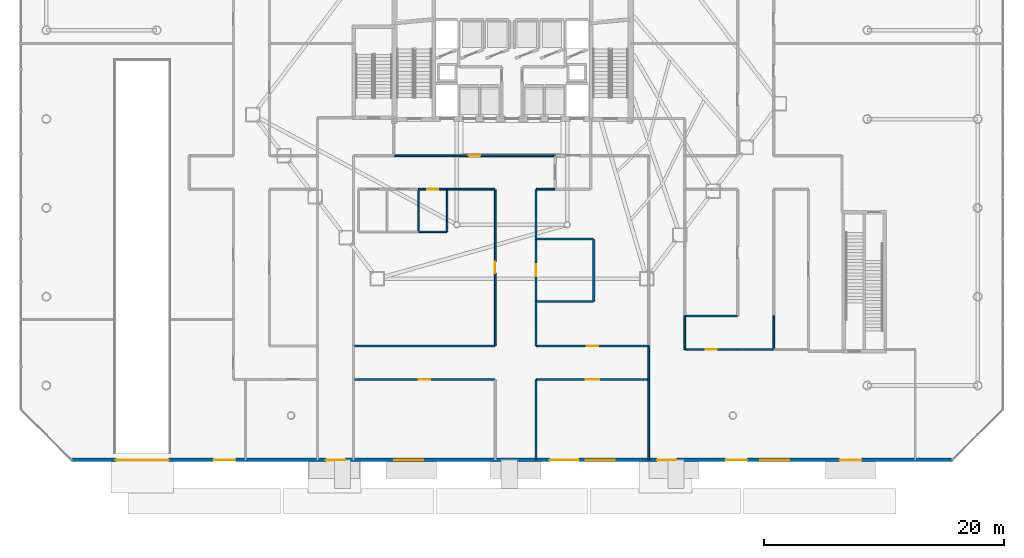
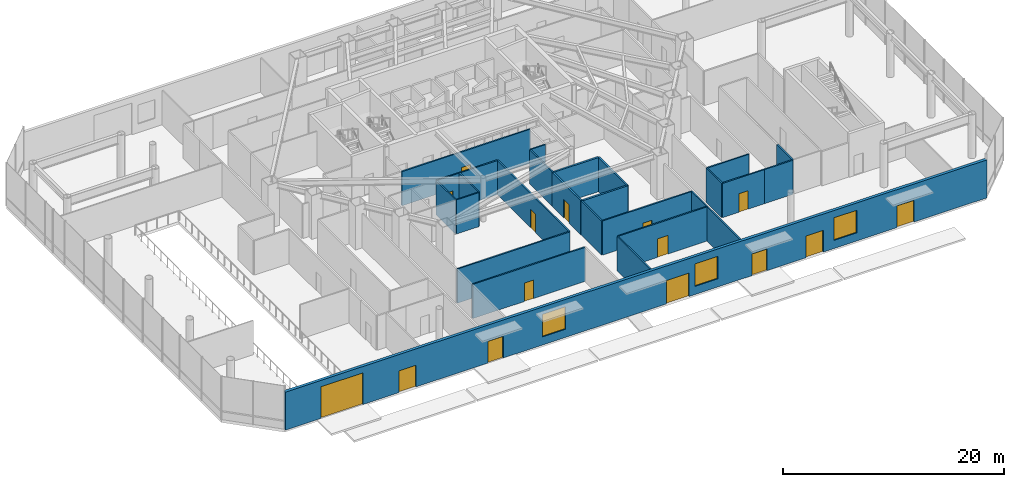
# One storey, part 23 of 31: 27 walls, 15 doors, 3 windows, 18 openings.
"""IFC4 building model written with IfcOpenShell, lengths in metres."""

from ifc_helpers import new_model, si_unit, direction, frame, frame_2d, origin, place, context, subcontext, project, spatial, rectangle, extrude, material, layer, layer_set, type_object, element, fill, save


model = new_model("IFC4")

# Units and contexts
model_context = context("Model", 3, precision=1e-05, world=origin(), true_north=direction((0.0, 1.0)))
body_context = subcontext(model_context, "Body", "Model", "MODEL_VIEW")
ifc_project = project(units=[si_unit("LENGTHUNIT", "METRE"), si_unit("AREAUNIT", "SQUARE_METRE"), si_unit("VOLUMEUNIT", "CUBIC_METRE"), si_unit("PLANEANGLEUNIT", "RADIAN"), si_unit("MASSUNIT", "GRAM", prefix="KILO")], contexts=[model_context])

# Site, building, storey
site_placement = place(None, origin())
site = spatial("IfcSite", under=ifc_project, at=site_placement, CompositionType="ELEMENT")
building_placement = place(site_placement, origin())
building = spatial("IfcBuilding", under=site, at=building_placement, Name="Zarrinselat Tower", CompositionType="ELEMENT")
storey_placement = place(building_placement, origin())
storey = spatial("IfcBuildingStorey", under=building, at=storey_placement, Name="L00", CompositionType="ELEMENT", Elevation=0.0)

# Wall, openings, doors, windows
ifc_material_1 = material(Name="Honed Cream Travertine Stone", Category="masonry")
ifc_layer_1 = layer(ifc_material_1, 0.300048828125)
ifc_layer_set_1 = layer_set([ifc_layer_1], Name="Honed Cream Travertine Stone")
wall_type_1 = type_object("IfcWallType", Name="WAL-EXT-STONE-300", PredefinedType="STANDARD", material=ifc_layer_set_1)
wall_1_placement = place(storey_placement, frame((75.10009765625, 4.800048828125, 0.0), z_axis=(0.0, 0.0, 1.0), x_axis=(-1.0, 0.0, 0.0)))
wall_1 = element("IfcWall", 1, at=wall_1_placement, inside=storey, type_object=wall_type_1, Name="L00 South Pishtaq Travertine Facade Wall", PredefinedType="STANDARD", context=body_context, shape_type="SweptSolid", body=[
    extrude(rectangle(XDim=73.400146484375, YDim=0.300048828125, at=frame_2d((36.7001953125, 0.0))), origin(), (0.0, 0.0, 1.0), 4.205078125),
])
opening_1_placement = place(wall_1_placement, frame((65.300048828125, 0.0, 0.0)))
opening_1 = element("IfcOpeningElement", 2, at=opening_1_placement, cuts=wall_1, Name="Opening VG-01", PredefinedType="OPENING", context=body_context, shape_type="SweptSolid", body=[
    extrude(rectangle(XDim=4.39990234375, YDim=3.5, at=frame_2d((2.199951171875, 1.75))), frame((0.0, 0.159912109375, 0.0), z_axis=(0.0, -1.0, 0.0), x_axis=(1.0, 0.0, 0.0)), (0.0, 0.0, 1.0), 0.320068359375),
])
opening_2_placement = place(wall_1_placement, frame((31.14990234375, 0.0, 0.0)))
opening_2 = element("IfcOpeningElement", 3, at=opening_2_placement, cuts=wall_1, Name="Opening ED-01", PredefinedType="OPENING", context=body_context, shape_type="SweptSolid", body=[
    extrude(rectangle(XDim=2.39990234375, YDim=2.60009765625, at=frame_2d((1.199951171875, 1.300048828125))), frame((0.0, 0.159912109375, 0.0), z_axis=(0.0, -1.0, 0.0), x_axis=(1.0, 0.0, 0.0)), (0.0, 0.0, 1.0), 0.320068359375),
])
opening_3_placement = place(wall_1_placement, frame((50.60009765625, 0.0, 0.0)))
opening_3 = element("IfcOpeningElement", 4, at=opening_3_placement, cuts=wall_1, Name="Opening ED-03", PredefinedType="OPENING", context=body_context, shape_type="SweptSolid", body=[
    extrude(rectangle(XDim=1.60009765625, YDim=2.39990234375, at=frame_2d((0.800048828125, 1.199951171875))), frame((0.0, 0.159912109375, 0.0), z_axis=(0.0, -1.0, 0.0), x_axis=(1.0, 0.0, 0.0)), (0.0, 0.0, 1.0), 0.320068359375),
])
opening_4_placement = place(wall_1_placement, frame((23.0, 0.0, 0.0)))
opening_4 = element("IfcOpeningElement", 5, at=opening_4_placement, cuts=wall_1, Name="Opening ED-03", PredefinedType="OPENING", context=body_context, shape_type="SweptSolid", body=[
    extrude(rectangle(XDim=1.60009765625, YDim=2.39990234375, at=frame_2d((0.800048828125, 1.199951171875))), frame((0.0, 0.159912109375, 0.0), z_axis=(0.0, -1.0, 0.0), x_axis=(1.0, 0.0, 0.0)), (0.0, 0.0, 1.0), 0.320068359375),
])
opening_5_placement = place(wall_1_placement, frame((7.60009765625, 0.0, 0.0)))
opening_5 = element("IfcOpeningElement", 6, at=opening_5_placement, cuts=wall_1, Name="Opening ED-02", PredefinedType="OPENING", context=body_context, shape_type="SweptSolid", body=[
    extrude(rectangle(XDim=1.800048828125, YDim=2.39990234375, at=frame_2d((0.89990234375, 1.199951171875))), frame((0.0, 0.159912109375, 0.0), z_axis=(0.0, -1.0, 0.0), x_axis=(1.0, 0.0, 0.0)), (0.0, 0.0, 1.0), 0.320068359375),
])
opening_6_placement = place(wall_1_placement, frame((17.10009765625, 0.0, 0.0)))
opening_6 = element("IfcOpeningElement", 7, at=opening_6_placement, cuts=wall_1, Name="Opening ED-02", PredefinedType="OPENING", context=body_context, shape_type="SweptSolid", body=[
    extrude(rectangle(XDim=1.800048828125, YDim=2.39990234375, at=frame_2d((0.89990234375, 1.199951171875))), frame((0.0, 0.159912109375, 0.0), z_axis=(0.0, -1.0, 0.0), x_axis=(1.0, 0.0, 0.0)), (0.0, 0.0, 1.0), 0.320068359375),
])
opening_7_placement = place(wall_1_placement, frame((59.75, 0.0, 0.0)))
opening_7 = element("IfcOpeningElement", 8, at=opening_7_placement, cuts=wall_1, Name="Opening ED-02", PredefinedType="OPENING", context=body_context, shape_type="SweptSolid", body=[
    extrude(rectangle(XDim=1.800048828125, YDim=2.39990234375, at=frame_2d((0.89990234375, 1.199951171875))), frame((0.0, 0.159912109375, 0.0), z_axis=(0.0, -1.0, 0.0), x_axis=(1.0, 0.0, 0.0)), (0.0, 0.0, 1.0), 0.320068359375),
])
opening_8_placement = place(wall_1_placement, frame((13.60009765625, 0.0, 0.89990234375)))
opening_8 = element("IfcOpeningElement", 9, at=opening_8_placement, cuts=wall_1, Name="Opening WN-1", PredefinedType="OPENING", context=body_context, shape_type="SweptSolid", body=[
    extrude(rectangle(XDim=2.39990234375, YDim=2.5, at=frame_2d((1.199951171875, 1.25))), frame((0.0, 0.159912109375, 0.0), z_axis=(0.0, -1.0, 0.0), x_axis=(1.0, 0.0, 0.0)), (0.0, 0.0, 1.0), 0.320068359375),
])
opening_9_placement = place(wall_1_placement, frame((28.14990234375, 0.0, 0.89990234375)))
opening_9 = element("IfcOpeningElement", 10, at=opening_9_placement, cuts=wall_1, Name="Opening WN-1", PredefinedType="OPENING", context=body_context, shape_type="SweptSolid", body=[
    extrude(rectangle(XDim=2.39990234375, YDim=2.5, at=frame_2d((1.199951171875, 1.25))), frame((0.0, 0.159912109375, 0.0), z_axis=(0.0, -1.0, 0.0), x_axis=(1.0, 0.0, 0.0)), (0.0, 0.0, 1.0), 0.320068359375),
])
opening_10_placement = place(wall_1_placement, frame((44.10009765625, 0.0, 0.89990234375)))
opening_10 = element("IfcOpeningElement", 11, at=opening_10_placement, cuts=wall_1, Name="Opening WN-1", PredefinedType="OPENING", context=body_context, shape_type="SweptSolid", body=[
    extrude(rectangle(XDim=2.39990234375, YDim=2.5, at=frame_2d((1.199951171875, 1.25))), frame((0.0, 0.159912109375, 0.0), z_axis=(0.0, -1.0, 0.0), x_axis=(1.0, 0.0, 0.0)), (0.0, 0.0, 1.0), 0.320068359375),
])
ifc_material_2 = material(Name="Steel S355J2", Category="steel")
door_type_1 = type_object("IfcDoorType", Name="DR-EXT-EXIT-1800", OperationType="NOTDEFINED", PredefinedType="DOOR", material=ifc_material_2)
door_1_placement = place(opening_3_placement, origin())
door_1 = element("IfcDoor", 12, at=door_1_placement, inside=storey, type_object=door_type_1, Name="West Stair Protected Final Exit Discharge Door", OperationType="DOUBLE_DOOR_SINGLE_SWING", OverallHeight=2.39990234375, OverallWidth=1.60009765625, PredefinedType="DOOR", context=body_context, shape_type="SweptSolid", body=[
    extrude(rectangle(XDim=1.60009765625, YDim=2.39990234375, at=frame_2d((0.800048828125, 1.199951171875))), frame((0.0, 0.02490234375, 0.0), z_axis=(0.0, -1.0, 0.0), x_axis=(1.0, 0.0, 0.0)), (0.0, 0.0, 1.0), 0.050048828125),
])
fill(opening_3, door_1)
door_2_placement = place(opening_4_placement, origin())
door_2 = element("IfcDoor", 13, at=door_2_placement, inside=storey, type_object=door_type_1, Name="East Stair Protected Final Exit Discharge Door", OperationType="DOUBLE_DOOR_SINGLE_SWING", OverallHeight=2.39990234375, OverallWidth=1.60009765625, PredefinedType="DOOR", context=body_context, shape_type="SweptSolid", body=[
    extrude(rectangle(XDim=1.60009765625, YDim=2.39990234375, at=frame_2d((0.800048828125, 1.199951171875))), frame((0.0, 0.02490234375, 0.0), z_axis=(0.0, -1.0, 0.0), x_axis=(1.0, 0.0, 0.0)), (0.0, 0.0, 1.0), 0.050048828125),
])
fill(opening_4, door_2)
ifc_material_3 = material(Name="Double Low-E Laminated Solar Glass", Category="glass")
door_type_2 = type_object("IfcDoorType", Name="DR-EXT-MAIN-2400", OperationType="NOTDEFINED", PredefinedType="DOOR", material=ifc_material_3)
door_3_placement = place(opening_2_placement, origin())
door_3 = element("IfcDoor", 14, at=door_3_placement, inside=storey, type_object=door_type_2, Name="Grand Pishtaq Main Entrance Door", OperationType="DOUBLE_DOOR_SINGLE_SWING", OverallHeight=2.60009765625, OverallWidth=2.39990234375, PredefinedType="DOOR", context=body_context, shape_type="SweptSolid", body=[
    extrude(rectangle(XDim=2.39990234375, YDim=2.60009765625, at=frame_2d((1.199951171875, 1.300048828125))), frame((0.0, 0.02490234375, 0.0), z_axis=(0.0, -1.0, 0.0), x_axis=(1.0, 0.0, 0.0)), (0.0, 0.0, 1.0), 0.050048828125),
])
fill(opening_2, door_3)
ifc_material_4 = material(Name="Double Low-E Laminated Solar Glass", Category="glass")
door_type_3 = type_object("IfcDoorType", Name="DR-EXT-RET-1800", OperationType="NOTDEFINED", PredefinedType="DOOR", material=ifc_material_4)
door_4_placement = place(opening_5_placement, origin())
door_4 = element("IfcDoor", 15, at=door_4_placement, inside=storey, type_object=door_type_3, Name="L00 Retail Street Entrance Door S1", OperationType="SINGLE_SWING_LEFT", OverallHeight=2.39990234375, OverallWidth=1.800048828125, PredefinedType="DOOR", context=body_context, shape_type="SweptSolid", body=[
    extrude(rectangle(XDim=1.800048828125, YDim=2.39990234375, at=frame_2d((0.89990234375, 1.199951171875))), frame((0.0, 0.02490234375, 0.0), z_axis=(0.0, -1.0, 0.0), x_axis=(1.0, 0.0, 0.0)), (0.0, 0.0, 1.0), 0.050048828125),
])
fill(opening_5, door_4)
door_5_placement = place(opening_6_placement, origin())
door_5 = element("IfcDoor", 16, at=door_5_placement, inside=storey, type_object=door_type_3, Name="L00 Retail Street Entrance Door S2", OperationType="SINGLE_SWING_RIGHT", OverallHeight=2.39990234375, OverallWidth=1.800048828125, PredefinedType="DOOR", context=body_context, shape_type="SweptSolid", body=[
    extrude(rectangle(XDim=1.800048828125, YDim=2.39990234375, at=frame_2d((0.89990234375, 1.199951171875))), frame((0.0, 0.02490234375, 0.0), z_axis=(0.0, -1.0, 0.0), x_axis=(1.0, 0.0, 0.0)), (0.0, 0.0, 1.0), 0.050048828125),
])
fill(opening_6, door_5)
door_6_placement = place(opening_7_placement, origin())
door_6 = element("IfcDoor", 17, at=door_6_placement, inside=storey, type_object=door_type_3, Name="L00 Retail Street Entrance Door S3", OperationType="SINGLE_SWING_LEFT", OverallHeight=2.39990234375, OverallWidth=1.800048828125, PredefinedType="DOOR", context=body_context, shape_type="SweptSolid", body=[
    extrude(rectangle(XDim=1.800048828125, YDim=2.39990234375, at=frame_2d((0.89990234375, 1.199951171875))), frame((0.0, 0.02490234375, 0.0), z_axis=(0.0, -1.0, 0.0), x_axis=(1.0, 0.0, 0.0)), (0.0, 0.0, 1.0), 0.050048828125),
])
fill(opening_7, door_6)
ifc_material_5 = material(Name="Extruded Aluminium Alloy EN AW-6063 T6", Category="aluminium")
door_type_4 = type_object("IfcDoorType", Name="DR-GATE-VEH-4400", OperationType="NOTDEFINED", PredefinedType="GATE", material=ifc_material_5)
door_7_placement = place(opening_1_placement, origin())
door_7 = element("IfcDoor", 18, at=door_7_placement, inside=storey, type_object=door_type_4, Name="Car Park Vehicle Entrance Roller Gate VG-01", OperationType="ROLLINGUP", OverallHeight=3.5, OverallWidth=4.39990234375, PredefinedType="GATE", context=body_context, shape_type="SweptSolid", body=[
    extrude(rectangle(XDim=4.39990234375, YDim=3.5, at=frame_2d((2.199951171875, 1.75))), frame((0.0, 0.02490234375, 0.0), z_axis=(0.0, -1.0, 0.0), x_axis=(1.0, 0.0, 0.0)), (0.0, 0.0, 1.0), 0.050048828125),
])
fill(opening_1, door_7)
ifc_material_6 = material(Name="Double Low-E Laminated Solar Glass", Category="glass")
window_type = type_object("IfcWindowType", Name="WIN-PISHTAQ-2400", PartitioningType="SINGLE_PANEL", PredefinedType="WINDOW", material=ifc_material_6)
window_1_placement = place(opening_8_placement, origin())
window_1 = element("IfcWindow", 19, at=window_1_placement, inside=storey, type_object=window_type, Name="L00 Pishtaq Display Window S1", OverallHeight=2.5, OverallWidth=2.39990234375, PartitioningType="SINGLE_PANEL", PredefinedType="WINDOW", context=body_context, shape_type="SweptSolid", body=[
    extrude(rectangle(XDim=2.39990234375, YDim=2.5, at=frame_2d((1.199951171875, 1.25))), frame((0.0, 0.030029296875, 0.0), z_axis=(0.0, -1.0, 0.0), x_axis=(1.0, 0.0, 0.0)), (0.0, 0.0, 1.0), 0.06005859375),
])
fill(opening_8, window_1)
window_2_placement = place(opening_9_placement, origin())
window_2 = element("IfcWindow", 20, at=window_2_placement, inside=storey, type_object=window_type, Name="L00 Pishtaq Display Window S2", OverallHeight=2.5, OverallWidth=2.39990234375, PartitioningType="SINGLE_PANEL", PredefinedType="WINDOW", context=body_context, shape_type="SweptSolid", body=[
    extrude(rectangle(XDim=2.39990234375, YDim=2.5, at=frame_2d((1.199951171875, 1.25))), frame((0.0, 0.030029296875, 0.0), z_axis=(0.0, -1.0, 0.0), x_axis=(1.0, 0.0, 0.0)), (0.0, 0.0, 1.0), 0.06005859375),
])
fill(opening_9, window_2)
window_3_placement = place(opening_10_placement, origin())
window_3 = element("IfcWindow", 21, at=window_3_placement, inside=storey, type_object=window_type, Name="L00 Pishtaq Display Window S3", OverallHeight=2.5, OverallWidth=2.39990234375, PartitioningType="SINGLE_PANEL", PredefinedType="WINDOW", context=body_context, shape_type="SweptSolid", body=[
    extrude(rectangle(XDim=2.39990234375, YDim=2.5, at=frame_2d((1.199951171875, 1.25))), frame((0.0, 0.030029296875, 0.0), z_axis=(0.0, -1.0, 0.0), x_axis=(1.0, 0.0, 0.0)), (0.0, 0.0, 1.0), 0.06005859375),
])
fill(opening_10, window_3)

# Wall, opening, door
ifc_material_7 = material(Name="Concrete C40/50", Category="concrete")
ifc_layer_2 = layer(ifc_material_7, 0.18994140625)
ifc_layer_set_2 = layer_set([ifc_layer_2], Name="Concrete C40/50")
wall_type_2 = type_object("IfcWallType", Name="WAL-PART-EI120", PredefinedType="PARTITIONING", material=ifc_layer_set_2)
wall_2_placement = place(storey_placement, frame((40.39990234375, 18.0048828125, 0.0), z_axis=(0.0, 0.0, 1.0), x_axis=(0.0, 1.0, 0.0)))
wall_2 = element("IfcWall", 22, at=wall_2_placement, inside=storey, type_object=wall_type_2, Name="L00 Partition Wall 87", PredefinedType="PARTITIONING", context=body_context, shape_type="SweptSolid", body=[
    extrude(rectangle(XDim=5.190185546875, YDim=0.18994140625, at=frame_2d((2.59521484375, 0.0))), origin(), (0.0, 0.0, 1.0), 3.777099609375),
])
opening_11_placement = place(wall_2_placement, frame((2.094970703125, 0.0, 0.0)))
opening_11 = element("IfcOpeningElement", 23, at=opening_11_placement, cuts=wall_2, Name="Opening ID-01", PredefinedType="OPENING", context=body_context, shape_type="SweptSolid", body=[
    extrude(rectangle(XDim=1.0, YDim=2.050048828125, at=frame_2d((0.5, 1.02490234375))), frame((0.0, 0.10498046875, 0.0), z_axis=(0.0, -1.0, 0.0), x_axis=(1.0, 0.0, 0.0)), (0.0, 0.0, 1.0), 0.2099609375),
])
ifc_material_8 = material(Name="Steel S355J2", Category="steel")
door_type_5 = type_object("IfcDoorType", Name="DR-INT-FD120", OperationType="NOTDEFINED", PredefinedType="DOOR", material=ifc_material_8)
door_8_placement = place(opening_11_placement, origin())
door_8 = element("IfcDoor", 24, at=door_8_placement, inside=storey, type_object=door_type_5, Name="L00 Interior Door P87", OperationType="SINGLE_SWING_LEFT", OverallHeight=2.050048828125, OverallWidth=1.0, PredefinedType="DOOR", context=body_context, shape_type="SweptSolid", body=[
    extrude(rectangle(XDim=1.0, YDim=2.050048828125, at=frame_2d((0.5, 1.02490234375))), frame((0.0, 0.02490234375, 0.0), z_axis=(0.0, -1.0, 0.0), x_axis=(1.0, 0.0, 0.0)), (0.0, 0.0, 1.0), 0.050048828125),
])
fill(opening_11, door_8)

# Walls
wall_3_placement = place(storey_placement, frame((45.199951171875, 18.02001953125, 0.0), z_axis=(0.0, 0.0, 1.0), x_axis=(0.0, 1.0, 0.0)))
element("IfcWall", 25, at=wall_3_placement, inside=storey, type_object=wall_type_2, Name="L00 Partition Wall 106", PredefinedType="PARTITIONING", context=body_context, shape_type="SweptSolid", body=[
    extrude(rectangle(XDim=5.159912109375, YDim=0.18994140625, at=frame_2d((2.580078125, 0.0))), origin(), (0.0, 0.0, 1.0), 3.777099609375),
])
for number, where, z_axis, x_axis, name in (
    (26, (40.419921875, 18.0, 0.0), (0.0, 0.0, 1.0), (1.0, 0.0, 0.0), "L00 Partition Wall 107"),
    (27, (40.419921875, 23.199951171875, 0.0), (0.0, 0.0, 1.0), (1.0, 0.0, 0.0), "L00 Partition Wall 108"),
):
    element("IfcWall", number, at=place(storey_placement, frame(where, z_axis=z_axis, x_axis=x_axis)), inside=storey, type_object=wall_type_2, Name=name, PredefinedType="PARTITIONING", context=body_context, shape_type="SweptSolid", body=[
        extrude(rectangle(XDim=4.760009765625, YDim=0.18994140625, at=frame_2d((2.3798828125, 0.0))), origin(), (0.0, 0.0, 1.0), 3.777099609375),
    ])

# Wall, opening, door
ifc_material_9 = material(Name="Fire-Rated Gypsum Board Partition", Category="gypsum")
ifc_layer_3 = layer(ifc_material_9, 0.14990234375)
ifc_layer_set_3 = layer_set([ifc_layer_3], Name="Fire-Rated Gypsum Board Partition")
wall_type_3 = type_object("IfcWallType", Name="WAL-PART-EI60", PredefinedType="PARTITIONING", material=ifc_layer_set_3)
wall_4_placement = place(storey_placement, frame((41.9951171875, 30.14990234375, 0.0), z_axis=(0.0, 0.0, 1.0), x_axis=(-1.0, 0.0, 0.0)))
wall_4 = element("IfcWall", 28, at=wall_4_placement, inside=storey, type_object=wall_type_3, Name="L00 Partition Wall 10", PredefinedType="PARTITIONING", context=body_context, shape_type="SweptSolid", body=[
    extrude(rectangle(XDim=13.425048828125, YDim=0.14990234375, at=frame_2d((6.71240234375, 0.0))), origin(), (0.0, 0.0, 1.0), 3.777099609375),
])
opening_12_placement = place(wall_4_placement, frame((6.242431640625, 0.0, 0.0)))
opening_12 = element("IfcOpeningElement", 29, at=opening_12_placement, cuts=wall_4, Name="Opening ID-04", PredefinedType="OPENING", context=body_context, shape_type="SweptSolid", body=[
    extrude(rectangle(XDim=0.93994140625, YDim=2.050048828125, at=frame_2d((0.469970703125, 1.02490234375))), frame((0.0, 0.0849609375, 0.0), z_axis=(0.0, -1.0, 0.0), x_axis=(1.0, 0.0, 0.0)), (0.0, 0.0, 1.0), 0.169921875),
])
ifc_material_10 = material(Name="Fire-Rated Gypsum Board Partition")
door_type_6 = type_object("IfcDoorType", Name="DR-INT-FD30-ENT", OperationType="NOTDEFINED", PredefinedType="DOOR", material=ifc_material_10)
door_9_placement = place(opening_12_placement, origin())
door_9 = element("IfcDoor", 30, at=door_9_placement, inside=storey, type_object=door_type_6, Name="L00 Interior Door P10", OperationType="SINGLE_SWING_RIGHT", OverallHeight=2.050048828125, OverallWidth=0.93994140625, PredefinedType="DOOR", context=body_context, shape_type="SweptSolid", body=[
    extrude(rectangle(XDim=0.93994140625, YDim=2.050048828125, at=frame_2d((0.469970703125, 1.02490234375))), frame((0.0, 0.02490234375, 0.0), z_axis=(0.0, -1.0, 0.0), x_axis=(1.0, 0.0, 0.0)), (0.0, 0.0, 1.0), 0.050048828125),
])
fill(opening_12, door_9)

# Walls
wall_5_placement = place(storey_placement, frame((52.800048828125, 13.985107421875, 0.0), z_axis=(0.0, 0.0, 1.0), x_axis=(0.0, 1.0, 0.0)))
element("IfcWall", 31, at=wall_5_placement, inside=storey, type_object=wall_type_3, Name="L00 Partition Wall 23", PredefinedType="PARTITIONING", context=body_context, shape_type="SweptSolid", body=[
    extrude(rectangle(XDim=2.809814453125, YDim=0.14990234375, at=frame_2d((1.40478515625, 0.0))), origin(), (0.0, 0.0, 1.0), 3.777099609375),
])
wall_6_placement = place(storey_placement, frame((49.800048828125, 11.5048828125, 0.0), z_axis=(0.0, 0.0, 1.0), x_axis=(0.0, 1.0, 0.0)))
element("IfcWall", 32, at=wall_6_placement, inside=storey, type_object=wall_type_3, Name="L00 Partition Wall 24", PredefinedType="PARTITIONING", context=body_context, shape_type="SweptSolid", body=[
    extrude(rectangle(XDim=2.7900390625, YDim=0.14990234375, at=frame_2d((1.39501953125, 0.0))), origin(), (0.0, 0.0, 1.0), 3.777099609375),
])
wall_7_placement = place(storey_placement, frame((49.800048828125, 4.81494140625, 0.0), z_axis=(0.0, 0.0, 1.0), x_axis=(0.0, 1.0, 0.0)))
element("IfcWall", 33, at=wall_7_placement, inside=storey, type_object=wall_type_3, Name="L00 Partition Wall 31", PredefinedType="PARTITIONING", context=body_context, shape_type="SweptSolid", body=[
    extrude(rectangle(XDim=6.68017578125, YDim=0.14990234375, at=frame_2d((3.340087890625, 0.0))), origin(), (0.0, 0.0, 1.0), 3.777099609375),
])
wall_8_placement = place(storey_placement, frame((57.199951171875, 14.0, 0.0), z_axis=(0.0, 0.0, 1.0), x_axis=(1.0, 0.0, 0.0)))
element("IfcWall", 34, at=wall_8_placement, inside=storey, type_object=wall_type_3, Name="L00 Partition Wall 36", PredefinedType="PARTITIONING", context=body_context, shape_type="SweptSolid", body=[
    extrude(rectangle(XDim=2.97998046875, YDim=0.14990234375, at=frame_2d((1.489990234375, 0.0))), origin(), (0.0, 0.0, 1.0), 3.777099609375),
])

# Wall, opening, door
wall_9_placement = place(storey_placement, frame((52.81494140625, 14.0, 0.0), z_axis=(0.0, 0.0, 1.0), x_axis=(1.0, 0.0, 0.0)))
wall_9 = element("IfcWall", 35, at=wall_9_placement, inside=storey, type_object=wall_type_3, Name="L00 Partition Wall 37", PredefinedType="PARTITIONING", context=body_context, shape_type="SweptSolid", body=[
    extrude(rectangle(XDim=4.385009765625, YDim=0.14990234375, at=frame_2d((2.1923828125, 0.0))), origin(), (0.0, 0.0, 1.0), 3.777099609375),
])
opening_13_placement = place(wall_9_placement, frame((1.722412109375, 0.0, 0.0)))
opening_13 = element("IfcOpeningElement", 36, at=opening_13_placement, cuts=wall_9, Name="Opening ID-04", PredefinedType="OPENING", context=body_context, shape_type="SweptSolid", body=[
    extrude(rectangle(XDim=0.93994140625, YDim=2.050048828125, at=frame_2d((0.469970703125, 1.02490234375))), frame((0.0, 0.0849609375, 0.0), z_axis=(0.0, -1.0, 0.0), x_axis=(1.0, 0.0, 0.0)), (0.0, 0.0, 1.0), 0.169921875),
])
door_10_placement = place(opening_13_placement, origin())
door_10 = element("IfcDoor", 37, at=door_10_placement, inside=storey, type_object=door_type_6, Name="L00 Interior Door P37", OperationType="SINGLE_SWING_RIGHT", OverallHeight=2.050048828125, OverallWidth=0.93994140625, PredefinedType="DOOR", context=body_context, shape_type="SweptSolid", body=[
    extrude(rectangle(XDim=0.93994140625, YDim=2.050048828125, at=frame_2d((0.469970703125, 1.02490234375))), frame((0.0, 0.02490234375, 0.0), z_axis=(0.0, -1.0, 0.0), x_axis=(1.0, 0.0, 0.0)), (0.0, 0.0, 1.0), 0.050048828125),
])
fill(opening_13, door_10)

# Walls
wall_10_placement = place(storey_placement, frame((60.199951171875, 14.02001953125, 0.0), z_axis=(0.0, 0.0, 1.0), x_axis=(0.0, 1.0, 0.0)))
element("IfcWall", 38, at=wall_10_placement, inside=storey, type_object=wall_type_3, Name="L00 Partition Wall 41", PredefinedType="PARTITIONING", context=body_context, shape_type="SweptSolid", body=[
    extrude(rectangle(XDim=2.780029296875, YDim=0.14990234375, at=frame_2d((1.39013671875, 0.0))), origin(), (0.0, 0.0, 1.0), 3.777099609375),
])
wall_11_placement = place(storey_placement, frame((52.820068359375, 16.800048828125, 0.0), z_axis=(0.0, 0.0, 1.0), x_axis=(1.0, 0.0, 0.0)))
element("IfcWall", 39, at=wall_11_placement, inside=storey, type_object=wall_type_3, Name="L00 Partition Wall 55", PredefinedType="PARTITIONING", context=body_context, shape_type="SweptSolid", body=[
    extrude(rectangle(XDim=4.35986328125, YDim=0.14990234375, at=frame_2d((2.179931640625, 0.0))), origin(), (0.0, 0.0, 1.0), 3.777099609375),
])

# Wall, opening, door
wall_12_placement = place(storey_placement, frame((30.60498046875, 27.35009765625, 0.0), z_axis=(0.0, 0.0, 1.0), x_axis=(1.0, 0.0, 0.0)))
wall_12 = element("IfcWall", 40, at=wall_12_placement, inside=storey, type_object=wall_type_3, Name="L00 Partition Wall 86", PredefinedType="PARTITIONING", context=body_context, shape_type="SweptSolid", body=[
    extrude(rectangle(XDim=2.39013671875, YDim=0.14990234375, at=frame_2d((1.195068359375, 0.0))), origin(), (0.0, 0.0, 1.0), 3.777099609375),
])
opening_14_placement = place(wall_12_placement, frame((0.72509765625, 0.0, 0.0)))
opening_14 = element("IfcOpeningElement", 41, at=opening_14_placement, cuts=wall_12, Name="Opening ID-04", PredefinedType="OPENING", context=body_context, shape_type="SweptSolid", body=[
    extrude(rectangle(XDim=0.93994140625, YDim=2.050048828125, at=frame_2d((0.469970703125, 1.02490234375))), frame((0.0, 0.0849609375, 0.0), z_axis=(0.0, -1.0, 0.0), x_axis=(1.0, 0.0, 0.0)), (0.0, 0.0, 1.0), 0.169921875),
])
door_11_placement = place(opening_14_placement, origin())
door_11 = element("IfcDoor", 42, at=door_11_placement, inside=storey, type_object=door_type_6, Name="L00 Interior Door P86", OperationType="SINGLE_SWING_RIGHT", OverallHeight=2.050048828125, OverallWidth=0.93994140625, PredefinedType="DOOR", context=body_context, shape_type="SweptSolid", body=[
    extrude(rectangle(XDim=0.93994140625, YDim=2.050048828125, at=frame_2d((0.469970703125, 1.02490234375))), frame((0.0, 0.02490234375, 0.0), z_axis=(0.0, -1.0, 0.0), x_axis=(1.0, 0.0, 0.0)), (0.0, 0.0, 1.0), 0.050048828125),
])
fill(opening_14, door_11)

# Walls
wall_13_placement = place(storey_placement, frame((40.419921875, 27.35009765625, 0.0), z_axis=(0.0, 0.0, 1.0), x_axis=(1.0, 0.0, 0.0)))
element("IfcWall", 43, at=wall_13_placement, inside=storey, type_object=wall_type_3, Name="L00 Partition Wall 88", PredefinedType="PARTITIONING", context=body_context, shape_type="SweptSolid", body=[
    extrude(rectangle(XDim=1.56005859375, YDim=0.14990234375, at=frame_2d((0.780029296875, 0.0))), origin(), (0.0, 0.0, 1.0), 3.777099609375),
])
wall_14_placement = place(storey_placement, frame((40.39990234375, 23.205078125, 0.0), z_axis=(0.0, 0.0, 1.0), x_axis=(0.0, 1.0, 0.0)))
element("IfcWall", 44, at=wall_14_placement, inside=storey, type_object=wall_type_3, Name="L00 Partition Wall 89", PredefinedType="PARTITIONING", context=body_context, shape_type="SweptSolid", body=[
    extrude(rectangle(XDim=4.125, YDim=0.14990234375, at=frame_2d((2.0625, 0.0))), origin(), (0.0, 0.0, 1.0), 3.777099609375),
])
wall_15_placement = place(storey_placement, frame((40.39990234375, 14.320068359375, 0.0), z_axis=(0.0, 0.0, 1.0), x_axis=(0.0, 1.0, 0.0)))
element("IfcWall", 45, at=wall_15_placement, inside=storey, type_object=wall_type_3, Name="L00 Partition Wall 90", PredefinedType="PARTITIONING", context=body_context, shape_type="SweptSolid", body=[
    extrude(rectangle(XDim=3.675048828125, YDim=0.14990234375, at=frame_2d((1.83740234375, 0.0))), origin(), (0.0, 0.0, 1.0), 3.777099609375),
])

# Wall, opening, door
wall_16_placement = place(storey_placement, frame((40.419921875, 14.300048828125, 0.0), z_axis=(0.0, 0.0, 1.0), x_axis=(1.0, 0.0, 0.0)))
wall_16 = element("IfcWall", 46, at=wall_16_placement, inside=storey, type_object=wall_type_3, Name="L00 Partition Wall 91", PredefinedType="PARTITIONING", context=body_context, shape_type="SweptSolid", body=[
    extrude(rectangle(XDim=9.360107421875, YDim=0.14990234375, at=frame_2d((4.68017578125, 0.0))), origin(), (0.0, 0.0, 1.0), 3.777099609375),
])
opening_15_placement = place(wall_16_placement, frame((4.2099609375, 0.0, 0.0)))
opening_15 = element("IfcOpeningElement", 47, at=opening_15_placement, cuts=wall_16, Name="Opening ID-04", PredefinedType="OPENING", context=body_context, shape_type="SweptSolid", body=[
    extrude(rectangle(XDim=0.93994140625, YDim=2.050048828125, at=frame_2d((0.469970703125, 1.02490234375))), frame((0.0, 0.0849609375, 0.0), z_axis=(0.0, -1.0, 0.0), x_axis=(1.0, 0.0, 0.0)), (0.0, 0.0, 1.0), 0.169921875),
])
door_12_placement = place(opening_15_placement, origin())
door_12 = element("IfcDoor", 48, at=door_12_placement, inside=storey, type_object=door_type_6, Name="L00 Interior Door P91", OperationType="SINGLE_SWING_RIGHT", OverallHeight=2.050048828125, OverallWidth=0.93994140625, PredefinedType="DOOR", context=body_context, shape_type="SweptSolid", body=[
    extrude(rectangle(XDim=0.93994140625, YDim=2.050048828125, at=frame_2d((0.469970703125, 1.02490234375))), frame((0.0, 0.02490234375, 0.0), z_axis=(0.0, -1.0, 0.0), x_axis=(1.0, 0.0, 0.0)), (0.0, 0.0, 1.0), 0.050048828125),
])
fill(opening_15, door_12)

wall_17_placement = place(storey_placement, frame((40.419921875, 11.5, 0.0), z_axis=(0.0, 0.0, 1.0), x_axis=(1.0, 0.0, 0.0)))
wall_17 = element("IfcWall", 49, at=wall_17_placement, inside=storey, type_object=wall_type_3, Name="L00 Partition Wall 92", PredefinedType="PARTITIONING", context=body_context, shape_type="SweptSolid", body=[
    extrude(rectangle(XDim=9.360107421875, YDim=0.14990234375, at=frame_2d((4.68017578125, 0.0))), origin(), (0.0, 0.0, 1.0), 3.777099609375),
])
opening_16_placement = place(wall_17_placement, frame((4.1201171875, 0.0, 0.0)))
opening_16 = element("IfcOpeningElement", 50, at=opening_16_placement, cuts=wall_17, Name="Opening ID-02", PredefinedType="OPENING", context=body_context, shape_type="SweptSolid", body=[
    extrude(rectangle(XDim=1.1201171875, YDim=2.050048828125, at=frame_2d((0.56005859375, 1.02490234375))), frame((0.0, 0.0849609375, 0.0), z_axis=(0.0, -1.0, 0.0), x_axis=(1.0, 0.0, 0.0)), (0.0, 0.0, 1.0), 0.169921875),
])
ifc_material_11 = material(Name="Steel S355J2", Category="steel")
door_type_7 = type_object("IfcDoorType", Name="DR-INT-FD60-W", OperationType="NOTDEFINED", PredefinedType="DOOR", material=ifc_material_11)
door_13_placement = place(opening_16_placement, origin())
door_13 = element("IfcDoor", 51, at=door_13_placement, inside=storey, type_object=door_type_7, Name="L00 Interior Door P92", OperationType="SINGLE_SWING_LEFT", OverallHeight=2.050048828125, OverallWidth=1.1201171875, PredefinedType="DOOR", context=body_context, shape_type="SweptSolid", body=[
    extrude(rectangle(XDim=1.1201171875, YDim=2.050048828125, at=frame_2d((0.56005859375, 1.02490234375))), frame((0.0, 0.02490234375, 0.0), z_axis=(0.0, -1.0, 0.0), x_axis=(1.0, 0.0, 0.0)), (0.0, 0.0, 1.0), 0.050048828125),
])
fill(opening_16, door_13)

# Wall
wall_18_placement = place(storey_placement, frame((40.39990234375, 4.81494140625, 0.0), z_axis=(0.0, 0.0, 1.0), x_axis=(0.0, 1.0, 0.0)))
element("IfcWall", 52, at=wall_18_placement, inside=storey, type_object=wall_type_3, Name="L00 Partition Wall 93", PredefinedType="PARTITIONING", context=body_context, shape_type="SweptSolid", body=[
    extrude(rectangle(XDim=6.6650390625, YDim=0.14990234375, at=frame_2d((3.33251953125, 0.0))), origin(), (0.0, 0.0, 1.0), 3.777099609375),
])

# Wall, opening, door
wall_19_placement = place(storey_placement, frame((25.219970703125, 11.5, 0.0), z_axis=(0.0, 0.0, 1.0), x_axis=(1.0, 0.0, 0.0)))
wall_19 = element("IfcWall", 53, at=wall_19_placement, inside=storey, type_object=wall_type_3, Name="L00 Partition Wall 95", PredefinedType="PARTITIONING", context=body_context, shape_type="SweptSolid", body=[
    extrude(rectangle(XDim=11.760009765625, YDim=0.14990234375, at=frame_2d((5.8798828125, 0.0))), origin(), (0.0, 0.0, 1.0), 3.777099609375),
])
opening_17_placement = place(wall_19_placement, frame((5.409912109375, 0.0, 0.0)))
opening_17 = element("IfcOpeningElement", 54, at=opening_17_placement, cuts=wall_19, Name="Opening ID-04", PredefinedType="OPENING", context=body_context, shape_type="SweptSolid", body=[
    extrude(rectangle(XDim=0.93994140625, YDim=2.050048828125, at=frame_2d((0.469970703125, 1.02490234375))), frame((0.0, 0.0849609375, 0.0), z_axis=(0.0, -1.0, 0.0), x_axis=(1.0, 0.0, 0.0)), (0.0, 0.0, 1.0), 0.169921875),
])
door_14_placement = place(opening_17_placement, origin())
door_14 = element("IfcDoor", 55, at=door_14_placement, inside=storey, type_object=door_type_6, Name="L00 Interior Door P95", OperationType="SINGLE_SWING_RIGHT", OverallHeight=2.050048828125, OverallWidth=0.93994140625, PredefinedType="DOOR", context=body_context, shape_type="SweptSolid", body=[
    extrude(rectangle(XDim=0.93994140625, YDim=2.050048828125, at=frame_2d((0.469970703125, 1.02490234375))), frame((0.0, 0.02490234375, 0.0), z_axis=(0.0, -1.0, 0.0), x_axis=(1.0, 0.0, 0.0)), (0.0, 0.0, 1.0), 0.050048828125),
])
fill(opening_17, door_14)

# Wall
wall_20_placement = place(storey_placement, frame((25.219970703125, 14.300048828125, 0.0), z_axis=(0.0, 0.0, 1.0), x_axis=(1.0, 0.0, 0.0)))
element("IfcWall", 56, at=wall_20_placement, inside=storey, type_object=wall_type_3, Name="L00 Partition Wall 96", PredefinedType="PARTITIONING", context=body_context, shape_type="SweptSolid", body=[
    extrude(rectangle(XDim=11.760009765625, YDim=0.14990234375, at=frame_2d((5.8798828125, 0.0))), origin(), (0.0, 0.0, 1.0), 3.777099609375),
])

# Wall, opening, door
wall_21_placement = place(storey_placement, frame((37.0, 14.320068359375, 0.0), z_axis=(0.0, 0.0, 1.0), x_axis=(0.0, 1.0, 0.0)))
wall_21 = element("IfcWall", 57, at=wall_21_placement, inside=storey, type_object=wall_type_3, Name="L00 Partition Wall 97", PredefinedType="PARTITIONING", context=body_context, shape_type="SweptSolid", body=[
    extrude(rectangle(XDim=13.010009765625, YDim=0.14990234375, at=frame_2d((6.5048828125, 0.0))), origin(), (0.0, 0.0, 1.0), 3.777099609375),
])
opening_18_placement = place(wall_21_placement, frame((6.034912109375, 0.0, 0.0)))
opening_18 = element("IfcOpeningElement", 58, at=opening_18_placement, cuts=wall_21, Name="Opening ID-04", PredefinedType="OPENING", context=body_context, shape_type="SweptSolid", body=[
    extrude(rectangle(XDim=0.93994140625, YDim=2.050048828125, at=frame_2d((0.469970703125, 1.02490234375))), frame((0.0, 0.0849609375, 0.0), z_axis=(0.0, -1.0, 0.0), x_axis=(1.0, 0.0, 0.0)), (0.0, 0.0, 1.0), 0.169921875),
])
door_15_placement = place(opening_18_placement, origin())
door_15 = element("IfcDoor", 59, at=door_15_placement, inside=storey, type_object=door_type_6, Name="L00 Interior Door P97", OperationType="SINGLE_SWING_LEFT", OverallHeight=2.050048828125, OverallWidth=0.93994140625, PredefinedType="DOOR", context=body_context, shape_type="SweptSolid", body=[
    extrude(rectangle(XDim=0.93994140625, YDim=2.050048828125, at=frame_2d((0.469970703125, 1.02490234375))), frame((0.0, 0.02490234375, 0.0), z_axis=(0.0, -1.0, 0.0), x_axis=(1.0, 0.0, 0.0)), (0.0, 0.0, 1.0), 0.050048828125),
])
fill(opening_18, door_15)

# Walls
wall_22_placement = place(storey_placement, frame((33.0048828125, 27.35009765625, 0.0), z_axis=(0.0, 0.0, 1.0), x_axis=(1.0, 0.0, 0.0)))
element("IfcWall", 60, at=wall_22_placement, inside=storey, type_object=wall_type_3, Name="L00 Partition Wall 98", PredefinedType="PARTITIONING", context=body_context, shape_type="SweptSolid", body=[
    extrude(rectangle(XDim=3.97509765625, YDim=0.14990234375, at=frame_2d((1.987548828125, 0.0))), origin(), (0.0, 0.0, 1.0), 3.777099609375),
])
ifc_material_12 = material(Name="Fire-Rated Gypsum Board Partition", Category="gypsum")
ifc_layer_4 = layer(ifc_material_12, 0.135009765625)
ifc_layer_set_4 = layer_set([ifc_layer_4], Name="Fire-Rated Gypsum Board Partition")
wall_type_4 = type_object("IfcWallType", Name="WAL-PART-WET", PredefinedType="PARTITIONING", material=ifc_layer_set_4)
for number, where, z_axis, x_axis, name in (
    (61, (30.60009765625, 23.820068359375, 0.0), (0.0, 0.0, 1.0), (0.0, 1.0, 0.0), "L00 Partition Wall 102"),
    (62, (33.0, 23.820068359375, 0.0), (0.0, 0.0, 1.0), (0.0, 1.0, 0.0), "L00 Partition Wall 104"),
):
    element("IfcWall", number, at=place(storey_placement, frame(where, z_axis=z_axis, x_axis=x_axis)), inside=storey, type_object=wall_type_4, Name=name, PredefinedType="PARTITIONING", context=body_context, shape_type="SweptSolid", body=[
        extrude(rectangle(XDim=3.510009765625, YDim=0.135009765625, at=frame_2d((1.7548828125, 0.0))), origin(), (0.0, 0.0, 1.0), 3.777099609375),
    ])
wall_23_placement = place(storey_placement, frame((30.6201171875, 23.800048828125, 0.0), z_axis=(0.0, 0.0, 1.0), x_axis=(1.0, 0.0, 0.0)))
element("IfcWall", 63, at=wall_23_placement, inside=storey, type_object=wall_type_4, Name="L00 Partition Wall 105", PredefinedType="PARTITIONING", context=body_context, shape_type="SweptSolid", body=[
    extrude(rectangle(XDim=2.35986328125, YDim=0.135009765625, at=frame_2d((1.179931640625, 0.0))), origin(), (0.0, 0.0, 1.0), 3.777099609375),
])

save(model, "model.ifc")
